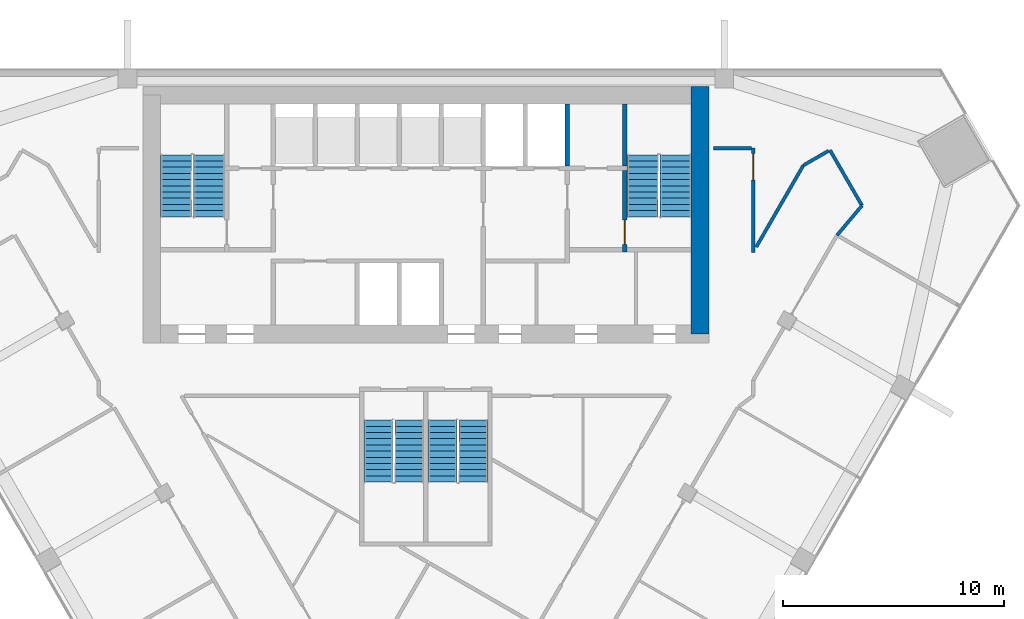
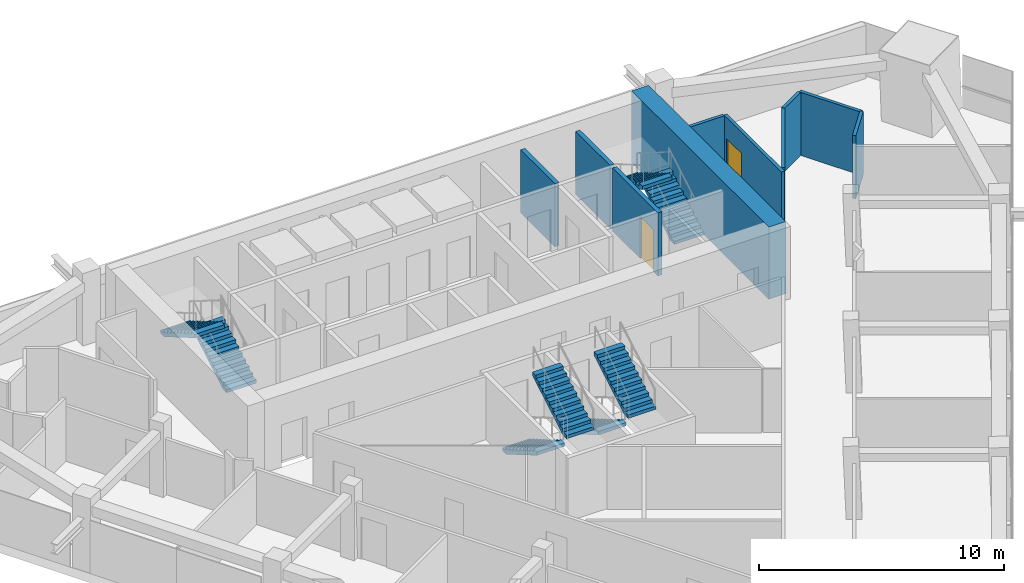
# One storey, part 11 of 13: 10 walls, 8 stair flights, 2 doors, 2 openings, 4 elements without a shape of their own.
"""IFC4 building model written with IfcOpenShell, lengths in metres."""

from ifc_helpers import new_model, si_unit, direction, frame, frame_2d, origin, place, context, subcontext, project, spatial, polyline, rectangle, outline, extrude, material, layer, layer_set, type_object, element, fill, aggregate, save


model = new_model("IFC4")

# Units and contexts
model_context = context("Model", 3, precision=1e-05, world=origin(), true_north=direction((0.0, 1.0)))
body_context = subcontext(model_context, "Body", "Model", "MODEL_VIEW")
ifc_project = project(units=[si_unit("LENGTHUNIT", "METRE"), si_unit("AREAUNIT", "SQUARE_METRE"), si_unit("VOLUMEUNIT", "CUBIC_METRE"), si_unit("PLANEANGLEUNIT", "RADIAN"), si_unit("MASSUNIT", "GRAM", prefix="KILO")], contexts=[model_context])

# Site, building, storey
site_placement = place(None, origin())
site = spatial("IfcSite", under=ifc_project, at=site_placement, CompositionType="ELEMENT")
building_placement = place(site_placement, origin())
building = spatial("IfcBuilding", under=site, at=building_placement, Name="Altiplano Prism Tower", CompositionType="ELEMENT")
storey_placement = place(building_placement, frame((0.0, 0.0, 160.199951171875)))
storey = spatial("IfcBuildingStorey", under=building, at=storey_placement, Name="L41", CompositionType="ELEMENT", Elevation=160.199951171875)

# Walls
ifc_material_1 = material(Name="Concrete C60/75", Category="concrete")
ifc_layer_1 = layer(ifc_material_1, 0.800048828125)
ifc_layer_set_1 = layer_set([ifc_layer_1], Name="Concrete C60/75")
wall_type_1 = type_object("IfcWallType", Name="Core wall 800", PredefinedType="SHEAR", material=ifc_layer_set_1)
wall_1_placement = place(storey_placement, frame((97.39990234375, 93.0, 0.0), z_axis=(0.0, 0.0, 1.0), x_axis=(0.0, 1.0, 0.0)))
element("IfcWall", 1, at=wall_1_placement, inside=storey, type_object=wall_type_1, Name="Core wall E L41", PredefinedType="SHEAR", context=body_context, shape_type="SweptSolid", body=[
    extrude(rectangle(XDim=11.199951171875, YDim=0.800048828125, at=frame_2d((5.60009765625, 0.0))), origin(), (0.0, 0.0, 1.0), 3.60009765625),
])
ifc_material_2 = material(Name="Plasterboard on steel stud", Category="steel")
ifc_layer_2 = layer(ifc_material_2, 0.14990234375)
ifc_layer_set_2 = layer_set([ifc_layer_2], Name="Plasterboard on steel stud")
wall_type_2 = type_object("IfcWallType", Name="Partition 150 corridor", PredefinedType="PARTITIONING", material=ifc_layer_set_2)
wall_2_placement = place(storey_placement, frame((103.59765625, 97.464599609375, 0.0), z_axis=(0.0, 0.0, 1.0), x_axis=(0.643535028364, 0.765416662524, 0.0)))
element("IfcWall", 2, at=wall_2_placement, inside=storey, type_object=wall_type_2, Name="Partition P06 L41 013", PredefinedType="PARTITIONING", context=body_context, shape_type="SweptSolid", body=[
    extrude(rectangle(XDim=1.752685546875, YDim=0.14990234375, at=frame_2d((0.87646484375, 0.0))), origin(), (0.0, 0.0, 1.0), 3.150146484375),
])
wall_3_placement = place(storey_placement, frame((104.7255859375, 98.80615234375, 0.0), z_axis=(0.0, 0.0, 1.0), x_axis=(-0.499987231761, 0.866032775405, 0.0)))
element("IfcWall", 3, at=wall_3_placement, inside=storey, type_object=wall_type_2, Name="Partition P06 L41 014", PredefinedType="PARTITIONING", context=body_context, shape_type="SweptSolid", body=[
    extrude(rectangle(XDim=2.89990234375, YDim=0.14990234375, at=frame_2d((1.449951171875, 0.0))), origin(), (0.0, 0.0, 1.0), 3.150146484375),
])
wall_4_placement = place(storey_placement, frame((103.210693359375, 101.280029296875, 0.0), z_axis=(0.0, 0.0, 1.0), x_axis=(-0.866074224396, -0.499915430684, 0.0)))
element("IfcWall", 4, at=wall_4_placement, inside=storey, type_object=wall_type_2, Name="Partition P06 L41 015", PredefinedType="PARTITIONING", context=body_context, shape_type="SweptSolid", body=[
    extrude(rectangle(XDim=1.314208984375, YDim=0.14990234375, at=frame_2d((0.6572265625, 0.0))), origin(), (0.0, 0.0, 1.0), 3.150146484375),
])
wall_5_placement = place(storey_placement, frame((102.072509765625, 100.623046875, 0.0), z_axis=(0.0, 0.0, 1.0), x_axis=(-0.499986710104, -0.866033076574, 0.0)))
element("IfcWall", 5, at=wall_5_placement, inside=storey, type_object=wall_type_2, Name="Partition P06 L41 016", PredefinedType="PARTITIONING", context=body_context, shape_type="SweptSolid", body=[
    extrude(rectangle(XDim=4.26513671875, YDim=0.14990234375, at=frame_2d((2.132568359375, 0.0))), origin(), (0.0, 0.0, 1.0), 3.150146484375),
])

# Wall, opening, door
wall_6_placement = place(storey_placement, frame((99.800048828125, 96.686767578125, 0.0), z_axis=(0.0, 0.0, 1.0), x_axis=(0.0, 1.0, 0.0)))
wall_6 = element("IfcWall", 6, at=wall_6_placement, inside=storey, type_object=wall_type_2, Name="Partition P06 L41 017", PredefinedType="PARTITIONING", context=body_context, shape_type="SweptSolid", body=[
    extrude(rectangle(XDim=4.713134765625, YDim=0.14990234375, at=frame_2d((2.3564453125, 0.0))), origin(), (0.0, 0.0, 1.0), 3.150146484375),
])
opening_1_placement = place(wall_6_placement, frame((3.27392578125, 0.0, 0.0)))
opening_1 = element("IfcOpeningElement", 7, at=opening_1_placement, cuts=wall_6, Name="Opening D1469", PredefinedType="OPENING", context=body_context, shape_type="SweptSolid", body=[
    extrude(rectangle(XDim=1.199951171875, YDim=2.10009765625, at=frame_2d((0.60009765625, 1.050048828125))), frame((0.0, 0.08544921875, 0.0), z_axis=(0.0, -1.0, 0.0), x_axis=(1.0, 0.0, 0.0)), (0.0, 0.0, 1.0), 0.1708984375),
])
ifc_material_3 = material(Name="Timber", Category="wood")
door_type_1 = type_object("IfcDoorType", Name="Shared room door 1200 x 2100", OperationType="NOTDEFINED", PredefinedType="NOTDEFINED", material=ifc_material_3)
door_1_placement = place(opening_1_placement, origin())
door_1 = element("IfcDoor", 8, at=door_1_placement, inside=storey, type_object=door_type_1, Name="Door D1469", OperationType="SINGLE_SWING_RIGHT", OverallHeight=2.10009765625, OverallWidth=1.199951171875, PredefinedType="NOTDEFINED", context=body_context, shape_type="SweptSolid", body=[
    extrude(rectangle(XDim=1.199951171875, YDim=2.10009765625, at=frame_2d((0.60009765625, 1.050048828125))), frame((0.0, 0.02490234375, 0.0), z_axis=(0.0, -1.0, 0.0), x_axis=(1.0, 0.0, 0.0)), (0.0, 0.0, 1.0), 0.050048828125),
])
fill(opening_1, door_1)

# Walls
wall_7_placement = place(storey_placement, frame((99.72509765625, 101.39990234375, 0.0), z_axis=(0.0, 0.0, 1.0), x_axis=(-1.0, 0.0, 0.0)))
element("IfcWall", 9, at=wall_7_placement, inside=storey, type_object=wall_type_2, Name="Partition P06 L41 018", PredefinedType="PARTITIONING", context=body_context, shape_type="SweptSolid", body=[
    extrude(rectangle(XDim=1.72509765625, YDim=0.14990234375, at=frame_2d((0.862548828125, 0.0))), origin(), (0.0, 0.0, 1.0), 3.150146484375),
])
ifc_layer_3 = layer(ifc_material_1, 0.199951171875)
ifc_layer_set_3 = layer_set([ifc_layer_3], Name="Concrete C60/75")
wall_type_3 = type_object("IfcWallType", Name="Shaft wall 200", PredefinedType="SOLIDWALL", material=ifc_layer_set_3)
wall_8_placement = place(storey_placement, frame((91.39990234375, 100.60009765625, 0.0), z_axis=(0.0, 0.0, 1.0), x_axis=(0.0, 1.0, 0.0)))
element("IfcWall", 10, at=wall_8_placement, inside=storey, type_object=wall_type_3, Name="Shaft wall L41", PredefinedType="SOLIDWALL", context=body_context, shape_type="SweptSolid", body=[
    extrude(rectangle(XDim=2.7998046875, YDim=0.199951171875, at=frame_2d((1.39990234375, 0.0))), origin(), (0.0, 0.0, 1.0), 3.150146484375),
])

# Wall, opening, door
ifc_layer_4 = layer(ifc_material_1, 0.199951171875)
ifc_layer_set_4 = layer_set([ifc_layer_4], Name="Concrete C60/75")
wall_type_4 = type_object("IfcWallType", Name="Stair wall 200", PredefinedType="SOLIDWALL", material=ifc_layer_set_4)
wall_9_placement = place(storey_placement, frame((94.0, 96.699951171875, 0.0), z_axis=(0.0, 0.0, 1.0), x_axis=(0.0, 1.0, 0.0)))
wall_9 = element("IfcWall", 11, at=wall_9_placement, inside=storey, type_object=wall_type_4, Name="Stair wall L41", PredefinedType="SOLIDWALL", context=body_context, shape_type="SweptSolid", body=[
    extrude(rectangle(XDim=3.699951171875, YDim=0.199951171875, at=frame_2d((1.85009765625, 0.0))), origin(), (0.0, 0.0, 1.0), 3.150146484375),
])
opening_2_placement = place(wall_9_placement, frame((0.35009765625, 0.0, 0.0)))
opening_2 = element("IfcOpeningElement", 12, at=opening_2_placement, cuts=wall_9, Name="Opening D3141", PredefinedType="OPENING", context=body_context, shape_type="SweptSolid", body=[
    extrude(rectangle(XDim=1.10009765625, YDim=2.10009765625, at=frame_2d((0.550048828125, 1.050048828125))), frame((0.0, 0.1103515625, 0.0), z_axis=(0.0, -1.0, 0.0), x_axis=(1.0, 0.0, 0.0)), (0.0, 0.0, 1.0), 0.220947265625),
])
ifc_material_4 = material(Name="Fire-rated steel door", Category="steel")
door_type_2 = type_object("IfcDoorType", Name="Stair fire door 1100 x 2100", OperationType="NOTDEFINED", PredefinedType="NOTDEFINED", material=ifc_material_4)
door_2_placement = place(opening_2_placement, origin())
door_2 = element("IfcDoor", 13, at=door_2_placement, inside=storey, type_object=door_type_2, Name="Stair fire door D3141", OperationType="SINGLE_SWING_LEFT", OverallHeight=2.10009765625, OverallWidth=1.10009765625, PredefinedType="NOTDEFINED", context=body_context, shape_type="SweptSolid", body=[
    extrude(rectangle(XDim=1.10009765625, YDim=2.10009765625, at=frame_2d((0.550048828125, 1.050048828125))), frame((0.0, 0.02490234375, 0.0), z_axis=(0.0, -1.0, 0.0), x_axis=(1.0, 0.0, 0.0)), (0.0, 0.0, 1.0), 0.050048828125),
])
fill(opening_2, door_2)

# Wall
wall_10_placement = place(storey_placement, frame((94.0, 100.60009765625, 0.0), z_axis=(0.0, 0.0, 1.0), x_axis=(0.0, 1.0, 0.0)))
element("IfcWall", 14, at=wall_10_placement, inside=storey, type_object=wall_type_4, Name="Stair wall L41", PredefinedType="SOLIDWALL", context=body_context, shape_type="SweptSolid", body=[
    extrude(rectangle(XDim=2.7998046875, YDim=0.199951171875, at=frame_2d((1.39990234375, 0.0))), origin(), (0.0, 0.0, 1.0), 3.150146484375),
])

# Stair, stair flights
ifc_material_5 = material(Name="Concrete C40/50", Category="concrete")
stair_type_1 = type_object("IfcStairType", Name="Exit stair 1400", PredefinedType="HALF_TURN_STAIR", material=ifc_material_5)
stair_1_placement = place(storey_placement, origin())
stair_1 = element("IfcStair", 15, at=stair_1_placement, inside=storey, type_object=stair_type_1, Name="L41 Exit Stair 1", PredefinedType="HALF_TURN_STAIR")
stair_flight_type = type_object("IfcStairFlightType", Name="Stair flight concrete 150", PredefinedType="STRAIGHT", material=ifc_material_5)
stair_flight_1_placement = place(storey_placement, frame((75.199951171875, 98.300048828125, 0.0), z_axis=(0.0, 0.0, 1.0), x_axis=(0.0, 1.0, 0.0)))
stair_flight_1 = element("IfcStairFlight", 16, at=stair_flight_1_placement, type_object=stair_flight_type, Name="ST1 flight 1", NumberOfRisers=11, NumberOfTreads=10, PredefinedType="STRAIGHT", RiserHeight=0.163636364, TreadLength=0.28, context=body_context, shape_type="SweptSolid", body=[
    extrude(outline(polyline([(0.0, 0.0), (0.0, 0.16357421875), (0.280029296875, 0.16357421875), (0.280029296875, 0.327392578125), (0.56005859375, 0.327392578125), (0.56005859375, 0.490966796875), (0.840087890625, 0.490966796875), (0.840087890625, 0.654541015625), (1.1201171875, 0.654541015625), (1.1201171875, 0.818115234375), (1.39990234375, 0.818115234375), (1.39990234375, 0.98193359375), (1.679931640625, 0.98193359375), (1.679931640625, 1.1455078125), (1.9599609375, 1.1455078125), (1.9599609375, 1.30908203125), (2.239990234375, 1.30908203125), (2.239990234375, 1.47265625), (2.52001953125, 1.47265625), (2.52001953125, 1.636474609375), (2.800048828125, 1.636474609375), (2.800048828125, 1.800048828125), (2.800048828125, 1.462646484375), (0.297119140625, 0.0), (0.0, 0.0)])), frame((0.0, 0.699951171875, 0.0), z_axis=(0.0, -1.0, 0.0), x_axis=(1.0, 0.0, 0.0)), (0.0, 0.0, 1.0), 1.39990234375),
])
stair_flight_2_placement = place(storey_placement, frame((73.699951171875, 101.10009765625, 1.800048828125), z_axis=(0.0, 0.0, 1.0), x_axis=(0.0, -1.0, 0.0)))
stair_flight_2 = element("IfcStairFlight", 17, at=stair_flight_2_placement, type_object=stair_flight_type, Name="ST1 flight 2", NumberOfRisers=11, NumberOfTreads=10, PredefinedType="STRAIGHT", RiserHeight=0.163636364, TreadLength=0.28, context=body_context, shape_type="SweptSolid", body=[
    extrude(outline(polyline([(0.0, 0.0), (0.0, 0.16357421875), (0.280029296875, 0.16357421875), (0.280029296875, 0.327392578125), (0.56005859375, 0.327392578125), (0.56005859375, 0.490966796875), (0.840087890625, 0.490966796875), (0.840087890625, 0.654541015625), (1.1201171875, 0.654541015625), (1.1201171875, 0.818115234375), (1.39990234375, 0.818115234375), (1.39990234375, 0.98193359375), (1.679931640625, 0.98193359375), (1.679931640625, 1.1455078125), (1.9599609375, 1.1455078125), (1.9599609375, 1.30908203125), (2.239990234375, 1.30908203125), (2.239990234375, 1.47265625), (2.52001953125, 1.47265625), (2.52001953125, 1.636474609375), (2.800048828125, 1.636474609375), (2.800048828125, 1.800048828125), (2.800048828125, 1.462646484375), (0.297119140625, 0.0), (0.0, 0.0)])), frame((0.0, 0.699951171875, 0.0), z_axis=(0.0, -1.0, 0.0), x_axis=(1.0, 0.0, 0.0)), (0.0, 0.0, 1.0), 1.39990234375),
])
aggregate(stair_1, [stair_flight_1, stair_flight_2])

stair_2_placement = place(storey_placement, origin())
stair_2 = element("IfcStair", 18, at=stair_2_placement, inside=storey, type_object=stair_type_1, Name="L41 Exit Stair 2", PredefinedType="HALF_TURN_STAIR")
stair_flight_3_placement = place(storey_placement, frame((96.300048828125, 98.300048828125, 0.0), z_axis=(0.0, 0.0, 1.0), x_axis=(0.0, 1.0, 0.0)))
stair_flight_3 = element("IfcStairFlight", 19, at=stair_flight_3_placement, type_object=stair_flight_type, Name="ST2 flight 1", NumberOfRisers=11, NumberOfTreads=10, PredefinedType="STRAIGHT", RiserHeight=0.163636364, TreadLength=0.28, context=body_context, shape_type="SweptSolid", body=[
    extrude(outline(polyline([(0.0, 0.0), (0.0, 0.16357421875), (0.280029296875, 0.16357421875), (0.280029296875, 0.327392578125), (0.56005859375, 0.327392578125), (0.56005859375, 0.490966796875), (0.840087890625, 0.490966796875), (0.840087890625, 0.654541015625), (1.1201171875, 0.654541015625), (1.1201171875, 0.818115234375), (1.39990234375, 0.818115234375), (1.39990234375, 0.98193359375), (1.679931640625, 0.98193359375), (1.679931640625, 1.1455078125), (1.9599609375, 1.1455078125), (1.9599609375, 1.30908203125), (2.239990234375, 1.30908203125), (2.239990234375, 1.47265625), (2.52001953125, 1.47265625), (2.52001953125, 1.636474609375), (2.800048828125, 1.636474609375), (2.800048828125, 1.800048828125), (2.800048828125, 1.462646484375), (0.297119140625, 0.0), (0.0, 0.0)])), frame((0.0, 0.699951171875, 0.0), z_axis=(0.0, -1.0, 0.0), x_axis=(1.0, 0.0, 0.0)), (0.0, 0.0, 1.0), 1.39990234375),
])
stair_flight_4_placement = place(storey_placement, frame((94.800048828125, 101.10009765625, 1.800048828125), z_axis=(0.0, 0.0, 1.0), x_axis=(0.0, -1.0, 0.0)))
stair_flight_4 = element("IfcStairFlight", 20, at=stair_flight_4_placement, type_object=stair_flight_type, Name="ST2 flight 2", NumberOfRisers=11, NumberOfTreads=10, PredefinedType="STRAIGHT", RiserHeight=0.163636364, TreadLength=0.28, context=body_context, shape_type="SweptSolid", body=[
    extrude(outline(polyline([(0.0, 0.0), (0.0, 0.16357421875), (0.280029296875, 0.16357421875), (0.280029296875, 0.327392578125), (0.56005859375, 0.327392578125), (0.56005859375, 0.490966796875), (0.840087890625, 0.490966796875), (0.840087890625, 0.654541015625), (1.1201171875, 0.654541015625), (1.1201171875, 0.818115234375), (1.39990234375, 0.818115234375), (1.39990234375, 0.98193359375), (1.679931640625, 0.98193359375), (1.679931640625, 1.1455078125), (1.9599609375, 1.1455078125), (1.9599609375, 1.30908203125), (2.239990234375, 1.30908203125), (2.239990234375, 1.47265625), (2.52001953125, 1.47265625), (2.52001953125, 1.636474609375), (2.800048828125, 1.636474609375), (2.800048828125, 1.800048828125), (2.800048828125, 1.462646484375), (0.297119140625, 0.0), (0.0, 0.0)])), frame((0.0, 0.699951171875, 0.0), z_axis=(0.0, -1.0, 0.0), x_axis=(1.0, 0.0, 0.0)), (0.0, 0.0, 1.0), 1.39990234375),
])
aggregate(stair_2, [stair_flight_3, stair_flight_4])

stair_type_2 = type_object("IfcStairType", Name="Exit stair 1300", PredefinedType="HALF_TURN_STAIR", material=ifc_material_5)
stair_3_placement = place(storey_placement, origin())
stair_3 = element("IfcStair", 21, at=stair_3_placement, inside=storey, type_object=stair_type_2, Name="L41 Exit Stair 3A", PredefinedType="HALF_TURN_STAIR")
stair_flight_5_placement = place(storey_placement, frame((82.85009765625, 89.10009765625, 0.0), z_axis=(0.0, 0.0, 1.0), x_axis=(0.0, -1.0, 0.0)))
stair_flight_5 = element("IfcStairFlight", 22, at=stair_flight_5_placement, type_object=stair_flight_type, Name="ST3A flight 1", NumberOfRisers=11, NumberOfTreads=10, PredefinedType="STRAIGHT", RiserHeight=0.163636364, TreadLength=0.28, context=body_context, shape_type="SweptSolid", body=[
    extrude(outline(polyline([(0.0, 0.0), (0.0, 0.16357421875), (0.280029296875, 0.16357421875), (0.280029296875, 0.327392578125), (0.56005859375, 0.327392578125), (0.56005859375, 0.490966796875), (0.840087890625, 0.490966796875), (0.840087890625, 0.654541015625), (1.1201171875, 0.654541015625), (1.1201171875, 0.818115234375), (1.39990234375, 0.818115234375), (1.39990234375, 0.98193359375), (1.679931640625, 0.98193359375), (1.679931640625, 1.1455078125), (1.9599609375, 1.1455078125), (1.9599609375, 1.30908203125), (2.239990234375, 1.30908203125), (2.239990234375, 1.47265625), (2.52001953125, 1.47265625), (2.52001953125, 1.636474609375), (2.800048828125, 1.636474609375), (2.800048828125, 1.800048828125), (2.800048828125, 1.462646484375), (0.297119140625, 0.0), (0.0, 0.0)])), frame((0.0, 0.64990234375, 0.0), z_axis=(0.0, -1.0, 0.0), x_axis=(1.0, 0.0, 0.0)), (0.0, 0.0, 1.0), 1.300048828125),
])
stair_flight_6_placement = place(storey_placement, frame((84.25, 86.300048828125, 1.800048828125), z_axis=(0.0, 0.0, 1.0), x_axis=(0.0, 1.0, 0.0)))
stair_flight_6 = element("IfcStairFlight", 23, at=stair_flight_6_placement, type_object=stair_flight_type, Name="ST3A flight 2", NumberOfRisers=11, NumberOfTreads=10, PredefinedType="STRAIGHT", RiserHeight=0.163636364, TreadLength=0.28, context=body_context, shape_type="SweptSolid", body=[
    extrude(outline(polyline([(0.0, 0.0), (0.0, 0.16357421875), (0.280029296875, 0.16357421875), (0.280029296875, 0.327392578125), (0.56005859375, 0.327392578125), (0.56005859375, 0.490966796875), (0.840087890625, 0.490966796875), (0.840087890625, 0.654541015625), (1.1201171875, 0.654541015625), (1.1201171875, 0.818115234375), (1.39990234375, 0.818115234375), (1.39990234375, 0.98193359375), (1.679931640625, 0.98193359375), (1.679931640625, 1.1455078125), (1.9599609375, 1.1455078125), (1.9599609375, 1.30908203125), (2.239990234375, 1.30908203125), (2.239990234375, 1.47265625), (2.52001953125, 1.47265625), (2.52001953125, 1.636474609375), (2.800048828125, 1.636474609375), (2.800048828125, 1.800048828125), (2.800048828125, 1.462646484375), (0.297119140625, 0.0), (0.0, 0.0)])), frame((0.0, 0.64990234375, 0.0), z_axis=(0.0, -1.0, 0.0), x_axis=(1.0, 0.0, 0.0)), (0.0, 0.0, 1.0), 1.300048828125),
])
aggregate(stair_3, [stair_flight_5, stair_flight_6])

stair_4_placement = place(storey_placement, origin())
stair_4 = element("IfcStair", 24, at=stair_4_placement, inside=storey, type_object=stair_type_2, Name="L41 Exit Stair 3B", PredefinedType="HALF_TURN_STAIR")
stair_flight_7_placement = place(storey_placement, frame((85.75, 89.10009765625, 0.0), z_axis=(0.0, 0.0, 1.0), x_axis=(0.0, -1.0, 0.0)))
stair_flight_7 = element("IfcStairFlight", 25, at=stair_flight_7_placement, type_object=stair_flight_type, Name="ST3B flight 1", NumberOfRisers=11, NumberOfTreads=10, PredefinedType="STRAIGHT", RiserHeight=0.163636364, TreadLength=0.28, context=body_context, shape_type="SweptSolid", body=[
    extrude(outline(polyline([(0.0, 0.0), (0.0, 0.16357421875), (0.280029296875, 0.16357421875), (0.280029296875, 0.327392578125), (0.56005859375, 0.327392578125), (0.56005859375, 0.490966796875), (0.840087890625, 0.490966796875), (0.840087890625, 0.654541015625), (1.1201171875, 0.654541015625), (1.1201171875, 0.818115234375), (1.39990234375, 0.818115234375), (1.39990234375, 0.98193359375), (1.679931640625, 0.98193359375), (1.679931640625, 1.1455078125), (1.9599609375, 1.1455078125), (1.9599609375, 1.30908203125), (2.239990234375, 1.30908203125), (2.239990234375, 1.47265625), (2.52001953125, 1.47265625), (2.52001953125, 1.636474609375), (2.800048828125, 1.636474609375), (2.800048828125, 1.800048828125), (2.800048828125, 1.462646484375), (0.297119140625, 0.0), (0.0, 0.0)])), frame((0.0, 0.64990234375, 0.0), z_axis=(0.0, -1.0, 0.0), x_axis=(1.0, 0.0, 0.0)), (0.0, 0.0, 1.0), 1.300048828125),
])
stair_flight_8_placement = place(storey_placement, frame((87.14990234375, 86.300048828125, 1.800048828125), z_axis=(0.0, 0.0, 1.0), x_axis=(0.0, 1.0, 0.0)))
stair_flight_8 = element("IfcStairFlight", 26, at=stair_flight_8_placement, type_object=stair_flight_type, Name="ST3B flight 2", NumberOfRisers=11, NumberOfTreads=10, PredefinedType="STRAIGHT", RiserHeight=0.163636364, TreadLength=0.28, context=body_context, shape_type="SweptSolid", body=[
    extrude(outline(polyline([(0.0, 0.0), (0.0, 0.16357421875), (0.280029296875, 0.16357421875), (0.280029296875, 0.327392578125), (0.56005859375, 0.327392578125), (0.56005859375, 0.490966796875), (0.840087890625, 0.490966796875), (0.840087890625, 0.654541015625), (1.1201171875, 0.654541015625), (1.1201171875, 0.818115234375), (1.39990234375, 0.818115234375), (1.39990234375, 0.98193359375), (1.679931640625, 0.98193359375), (1.679931640625, 1.1455078125), (1.9599609375, 1.1455078125), (1.9599609375, 1.30908203125), (2.239990234375, 1.30908203125), (2.239990234375, 1.47265625), (2.52001953125, 1.47265625), (2.52001953125, 1.636474609375), (2.800048828125, 1.636474609375), (2.800048828125, 1.800048828125), (2.800048828125, 1.462646484375), (0.297119140625, 0.0), (0.0, 0.0)])), frame((0.0, 0.64990234375, 0.0), z_axis=(0.0, -1.0, 0.0), x_axis=(1.0, 0.0, 0.0)), (0.0, 0.0, 1.0), 1.300048828125),
])
aggregate(stair_4, [stair_flight_7, stair_flight_8])

save(model, "model.ifc")
